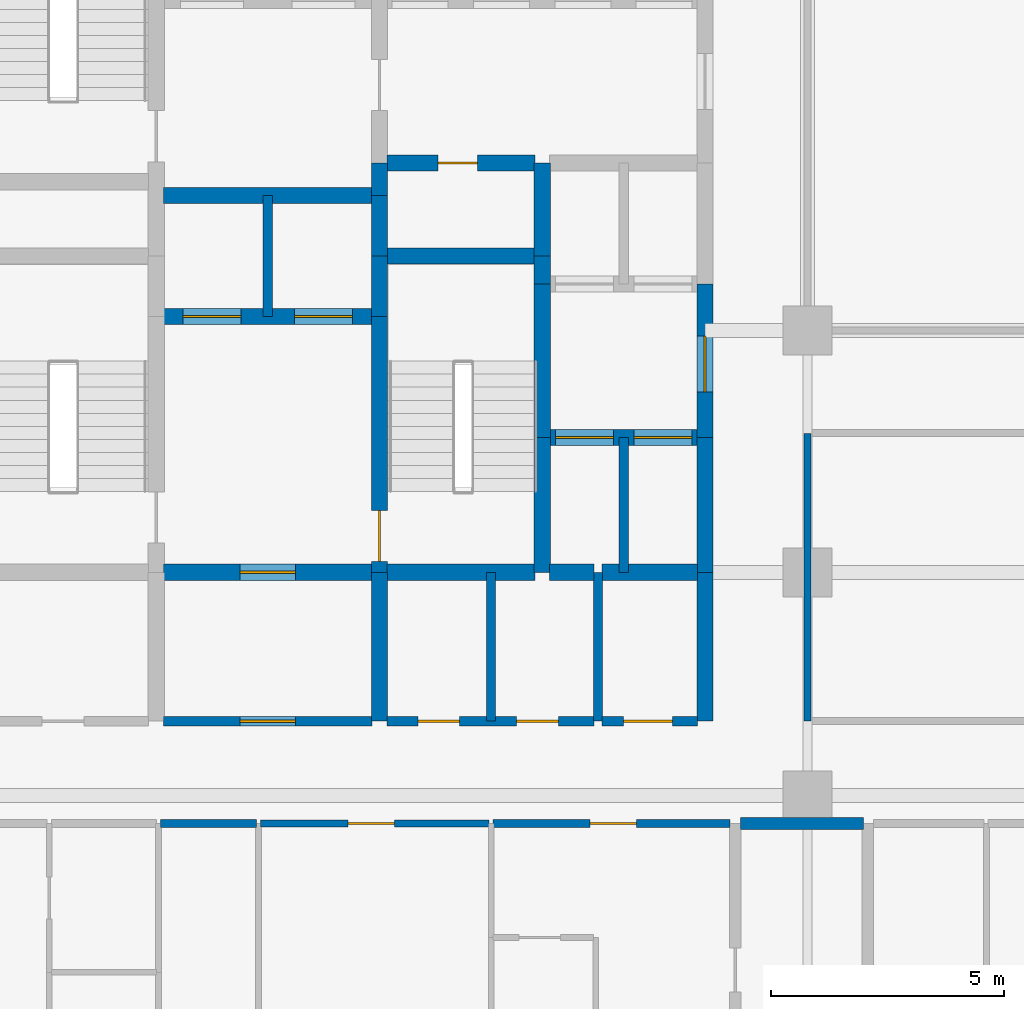
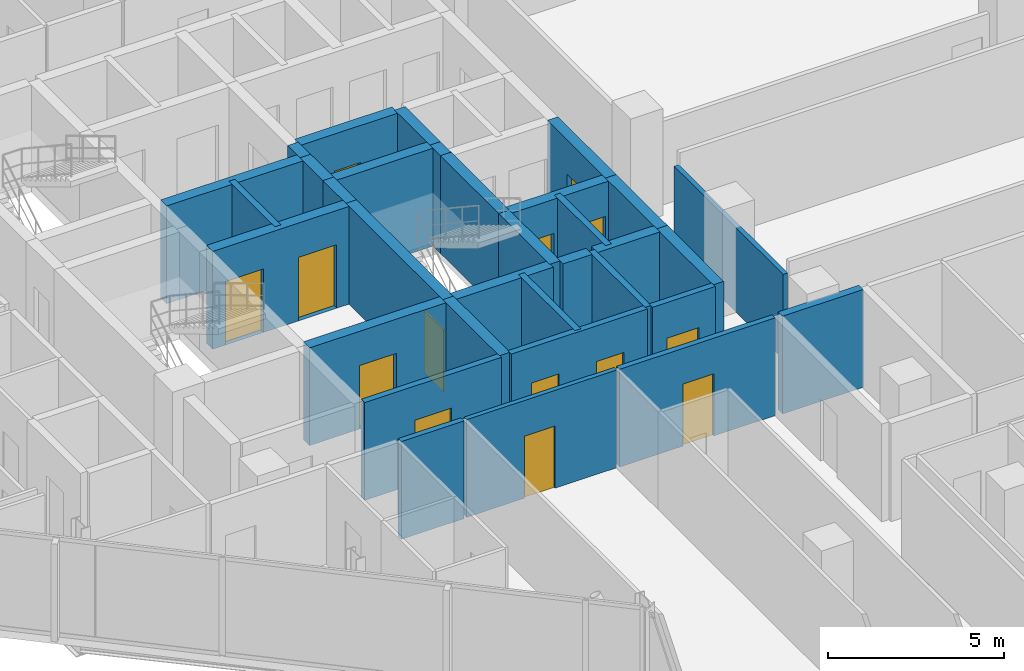
# One storey, part 25 of 30: 33 walls, 14 doors, 14 openings.
"""IFC4 building model written with IfcOpenShell, lengths in metres."""

from ifc_helpers import new_model, si_unit, direction, frame, frame_2d, origin, place, context, subcontext, project, spatial, rectangle, extrude, material, layer, layer_set, type_object, element, fill, save


model = new_model("IFC4")

# Units and contexts
model_context = context("Model", 3, precision=1e-05, world=origin(), true_north=direction((0.0, 1.0)))
body_context = subcontext(model_context, "Body", "Model", "MODEL_VIEW")
ifc_project = project(units=[si_unit("LENGTHUNIT", "METRE"), si_unit("AREAUNIT", "SQUARE_METRE"), si_unit("VOLUMEUNIT", "CUBIC_METRE"), si_unit("PLANEANGLEUNIT", "RADIAN"), si_unit("MASSUNIT", "GRAM", prefix="KILO")], contexts=[model_context])

# Site, building, storey
site_placement = place(None, origin())
site = spatial("IfcSite", under=ifc_project, at=site_placement, CompositionType="ELEMENT")
building_placement = place(site_placement, origin())
building = spatial("IfcBuilding", under=site, at=building_placement, Name="Keshet Zoharim Tower", CompositionType="ELEMENT")
storey_placement = place(building_placement, frame((0.0, 0.0, 109.39990234375)))
storey = spatial("IfcBuildingStorey", under=building, at=storey_placement, Name="L26", CompositionType="ELEMENT", Elevation=109.39990234375)

# Wall
ifc_material_1 = material(Name="Gypsum Plasterboard", Category="gypsum")
ifc_layer_1 = layer(ifc_material_1, 0.14990234375)
ifc_layer_set_1 = layer_set([ifc_layer_1], Name="Gypsum Plasterboard")
wall_type_1 = type_object("IfcWallType", Name="WL-CLIN-150", PredefinedType="STANDARD", material=ifc_layer_set_1)
wall_1_placement = place(storey_placement, frame((33.0, 19.510009765625, 0.0), z_axis=(0.0, 0.0, 1.0), x_axis=(0.0, 1.0, 0.0)))
element("IfcWall", 1, at=wall_1_placement, inside=storey, type_object=wall_type_1, Name="L26 Interior Wall 071", PredefinedType="STANDARD", context=body_context, shape_type="SweptSolid", body=[
    extrude(rectangle(XDim=6.179931640625, YDim=0.14990234375, at=frame_2d((3.08984375, 0.0))), origin(), (0.0, 0.0, 1.0), 2.93505859375),
])

# Wall, opening, door
wall_2_placement = place(storey_placement, frame((21.2451171875, 17.300048828125, 0.0), z_axis=(0.0, 0.0, 1.0), x_axis=(1.0, 0.0, 0.0)))
wall_2 = element("IfcWall", 2, at=wall_2_placement, inside=storey, type_object=wall_type_1, Name="L26 Interior Wall 131", PredefinedType="STANDARD", context=body_context, shape_type="SweptSolid", body=[
    extrude(rectangle(XDim=4.909912109375, YDim=0.14990234375, at=frame_2d((2.455078125, 0.0))), origin(), (0.0, 0.0, 1.0), 3.385009765625),
])
opening_1_placement = place(wall_2_placement, frame((1.884033203125, 0.0, 0.0)))
opening_1 = element("IfcOpeningElement", 3, at=opening_1_placement, cuts=wall_2, Name="Opening D-F310", PredefinedType="OPENING", context=body_context, shape_type="SweptSolid", body=[
    extrude(rectangle(XDim=1.0, YDim=2.14990234375, at=frame_2d((0.5, 1.074951171875))), frame((0.0, 0.0849609375, 0.0), z_axis=(0.0, -1.0, 0.0), x_axis=(1.0, 0.0, 0.0)), (0.0, 0.0, 1.0), 0.169921875),
])
ifc_material_2 = material(Name="Hardwood Timber", Category="wood")
door_type_1 = type_object("IfcDoorType", Name="DR-FD30-100", OperationType="NOTDEFINED", PredefinedType="DOOR", material=ifc_material_2)
door_1_placement = place(opening_1_placement, origin())
door_1 = element("IfcDoor", 4, at=door_1_placement, inside=storey, type_object=door_type_1, Name="L26 Residents Co-Working Office Door", OperationType="SINGLE_SWING_LEFT", OverallHeight=2.14990234375, OverallWidth=1.0, PredefinedType="DOOR", context=body_context, shape_type="SweptSolid", body=[
    extrude(rectangle(XDim=1.0, YDim=2.14990234375, at=frame_2d((0.5, 1.074951171875))), frame((0.0, 0.02490234375, 0.0), z_axis=(0.0, -1.0, 0.0), x_axis=(1.0, 0.0, 0.0)), (0.0, 0.0, 1.0), 0.050048828125),
])
fill(opening_1, door_1)

# Wall
ifc_material_3 = material(Name="Concrete C60/75", Category="concrete")
ifc_layer_2 = layer(ifc_material_3, 0.35009765625)
ifc_layer_set_2 = layer_set([ifc_layer_2], Name="Concrete C60/75")
wall_type_2 = type_object("IfcWallType", Name="WL-CORE-350", PredefinedType="SHEAR", material=ifc_layer_set_2)
wall_3_placement = place(storey_placement, frame((23.800048828125, 19.5, 0.0), z_axis=(0.0, 0.0, 1.0), x_axis=(0.0, 1.0, 0.0)))
element("IfcWall", 5, at=wall_3_placement, inside=storey, type_object=wall_type_2, Name="L26 Core Shear Wall 035", PredefinedType="SHEAR", context=body_context, shape_type="SweptSolid", body=[
    extrude(rectangle(XDim=3.199951171875, YDim=0.35009765625, at=frame_2d((1.60009765625, 0.0))), origin(), (0.0, 0.0, 1.0), 3.385009765625),
])

# Wall, opening, door
wall_4_placement = place(storey_placement, frame((23.800048828125, 22.699951171875, 0.0), z_axis=(0.0, 0.0, 1.0), x_axis=(0.0, 1.0, 0.0)))
wall_4 = element("IfcWall", 6, at=wall_4_placement, inside=storey, type_object=wall_type_2, Name="L26 Core Shear Wall 036", PredefinedType="SHEAR", context=body_context, shape_type="SweptSolid", body=[
    extrude(rectangle(XDim=5.5, YDim=0.35009765625, at=frame_2d((2.75, 0.0))), origin(), (0.0, 0.0, 1.0), 3.385009765625),
])
opening_2_placement = place(wall_4_placement, frame((0.235107421875, 0.0, 0.0)))
opening_2 = element("IfcOpeningElement", 7, at=opening_2_placement, cuts=wall_4, Name="Opening D-F611", PredefinedType="OPENING", context=body_context, shape_type="SweptSolid", body=[
    extrude(rectangle(XDim=1.10009765625, YDim=2.14990234375, at=frame_2d((0.550048828125, 1.074951171875))), frame((0.0, 0.18505859375, 0.0), z_axis=(0.0, -1.0, 0.0), x_axis=(1.0, 0.0, 0.0)), (0.0, 0.0, 1.0), 0.3701171875),
])
door_type_2 = type_object("IfcDoorType", Name="DR-FD60-110", OperationType="NOTDEFINED", PredefinedType="DOOR", material=ifc_material_2)
door_2_placement = place(opening_2_placement, frame((1.10009765625, 0.0, 0.0), z_axis=(0.0, 0.0, 1.0), x_axis=(-1.0, 0.0, 0.0)))
door_2 = element("IfcDoor", 8, at=door_2_placement, inside=storey, type_object=door_type_2, Name="L26 Exit Stair ST-03 Fire Door", OperationType="SINGLE_SWING_LEFT", OverallHeight=2.14990234375, OverallWidth=1.10009765625, PredefinedType="DOOR", context=body_context, shape_type="SweptSolid", body=[
    extrude(rectangle(XDim=1.10009765625, YDim=2.14990234375, at=frame_2d((0.550048828125, 1.074951171875))), frame((0.0, 0.02490234375, 0.0), z_axis=(0.0, -1.0, 0.0), x_axis=(1.0, 0.0, 0.0)), (0.0, 0.0, 1.0), 0.050048828125),
])
fill(opening_2, door_2)

# Walls
for number, where, z_axis, x_axis, name in (
    (9, (23.800048828125, 28.199951171875, 0.0), (0.0, 0.0, 1.0), (0.0, 1.0, 0.0), "L26 Core Shear Wall 037"),
    (10, (23.800048828125, 29.5, 0.0), (0.0, 0.0, 1.0), (0.0, 1.0, 0.0), "L26 Core Shear Wall 038"),
):
    element("IfcWall", number, at=place(storey_placement, frame(where, z_axis=z_axis, x_axis=x_axis)), inside=storey, type_object=wall_type_2, Name=name, PredefinedType="SHEAR", context=body_context, shape_type="SweptSolid", body=[
        extrude(rectangle(XDim=1.300048828125, YDim=0.35009765625, at=frame_2d((0.64990234375, 0.0))), origin(), (0.0, 0.0, 1.0), 3.385009765625),
    ])
wall_5_placement = place(storey_placement, frame((23.800048828125, 30.800048828125, 0.0), z_axis=(0.0, 0.0, 1.0), x_axis=(0.0, 1.0, 0.0)))
element("IfcWall", 11, at=wall_5_placement, inside=storey, type_object=wall_type_2, Name="L26 Core Shear Wall 039", PredefinedType="SHEAR", context=body_context, shape_type="SweptSolid", body=[
    extrude(rectangle(XDim=0.699951171875, YDim=0.35009765625, at=frame_2d((0.35009765625, 0.0))), origin(), (0.0, 0.0, 1.0), 3.385009765625),
])
wall_6_placement = place(storey_placement, frame((27.300048828125, 22.699951171875, 0.0), z_axis=(0.0, 0.0, 1.0), x_axis=(0.0, 1.0, 0.0)))
element("IfcWall", 12, at=wall_6_placement, inside=storey, type_object=wall_type_2, Name="L26 Core Shear Wall 047", PredefinedType="SHEAR", context=body_context, shape_type="SweptSolid", body=[
    extrude(rectangle(XDim=2.900146484375, YDim=0.35009765625, at=frame_2d((1.4501953125, 0.0))), origin(), (0.0, 0.0, 1.0), 3.385009765625),
])
wall_7_placement = place(storey_placement, frame((27.300048828125, 25.60009765625, 0.0), z_axis=(0.0, 0.0, 1.0), x_axis=(0.0, 1.0, 0.0)))
element("IfcWall", 13, at=wall_7_placement, inside=storey, type_object=wall_type_2, Name="L26 Core Shear Wall 048", PredefinedType="SHEAR", context=body_context, shape_type="SweptSolid", body=[
    extrude(rectangle(XDim=3.2998046875, YDim=0.35009765625, at=frame_2d((1.64990234375, 0.0))), origin(), (0.0, 0.0, 1.0), 3.385009765625),
])
wall_8_placement = place(storey_placement, frame((27.300048828125, 28.89990234375, 0.0), z_axis=(0.0, 0.0, 1.0), x_axis=(0.0, 1.0, 0.0)))
element("IfcWall", 14, at=wall_8_placement, inside=storey, type_object=wall_type_2, Name="L26 Core Shear Wall 049", PredefinedType="SHEAR", context=body_context, shape_type="SweptSolid", body=[
    extrude(rectangle(XDim=0.60009765625, YDim=0.35009765625, at=frame_2d((0.300048828125, 0.0))), origin(), (0.0, 0.0, 1.0), 3.385009765625),
])
wall_9_placement = place(storey_placement, frame((27.300048828125, 29.5, 0.0), z_axis=(0.0, 0.0, 1.0), x_axis=(0.0, 1.0, 0.0)))
element("IfcWall", 15, at=wall_9_placement, inside=storey, type_object=wall_type_2, Name="L26 Core Shear Wall 050", PredefinedType="SHEAR", context=body_context, shape_type="SweptSolid", body=[
    extrude(rectangle(XDim=2.0, YDim=0.35009765625, at=frame_2d((1.0, 0.0))), origin(), (0.0, 0.0, 1.0), 3.385009765625),
])
wall_10_placement = place(storey_placement, frame((30.800048828125, 19.5, 0.0), z_axis=(0.0, 0.0, 1.0), x_axis=(0.0, 1.0, 0.0)))
element("IfcWall", 16, at=wall_10_placement, inside=storey, type_object=wall_type_2, Name="L26 Core Shear Wall 060", PredefinedType="SHEAR", context=body_context, shape_type="SweptSolid", body=[
    extrude(rectangle(XDim=3.199951171875, YDim=0.35009765625, at=frame_2d((1.60009765625, 0.0))), origin(), (0.0, 0.0, 1.0), 3.385009765625),
])
wall_11_placement = place(storey_placement, frame((30.800048828125, 22.699951171875, 0.0), z_axis=(0.0, 0.0, 1.0), x_axis=(0.0, 1.0, 0.0)))
element("IfcWall", 17, at=wall_11_placement, inside=storey, type_object=wall_type_2, Name="L26 Core Shear Wall 061", PredefinedType="SHEAR", context=body_context, shape_type="SweptSolid", body=[
    extrude(rectangle(XDim=2.900146484375, YDim=0.35009765625, at=frame_2d((1.4501953125, 0.0))), origin(), (0.0, 0.0, 1.0), 3.385009765625),
])

# Wall, opening, door
wall_12_placement = place(storey_placement, frame((30.800048828125, 25.60009765625, 0.0), z_axis=(0.0, 0.0, 1.0), x_axis=(0.0, 1.0, 0.0)))
wall_12 = element("IfcWall", 18, at=wall_12_placement, inside=storey, type_object=wall_type_2, Name="L26 Core Shear Wall 062", PredefinedType="SHEAR", context=body_context, shape_type="SweptSolid", body=[
    extrude(rectangle(XDim=3.2998046875, YDim=0.35009765625, at=frame_2d((1.64990234375, 0.0))), origin(), (0.0, 0.0, 1.0), 3.385009765625),
])
opening_3_placement = place(wall_12_placement, frame((0.97802734375, 0.0, 0.0)))
opening_3 = element("IfcOpeningElement", 19, at=opening_3_placement, cuts=wall_12, Name="Opening D-F612", PredefinedType="OPENING", context=body_context, shape_type="SweptSolid", body=[
    extrude(rectangle(XDim=1.199951171875, YDim=2.199951171875, at=frame_2d((0.60009765625, 1.10009765625))), frame((0.0, 0.18505859375, 0.0), z_axis=(0.0, -1.0, 0.0), x_axis=(1.0, 0.0, 0.0)), (0.0, 0.0, 1.0), 0.3701171875),
])
door_type_3 = type_object("IfcDoorType", Name="DR-FD60-120", OperationType="NOTDEFINED", PredefinedType="DOOR", material=ifc_material_2)
door_3_placement = place(opening_3_placement, origin())
door_3 = element("IfcDoor", 20, at=door_3_placement, inside=storey, type_object=door_type_3, Name="L26 East Lift Lobby Fire Door", OperationType="SINGLE_SWING_LEFT", OverallHeight=2.199951171875, OverallWidth=1.199951171875, PredefinedType="DOOR", context=body_context, shape_type="SweptSolid", body=[
    extrude(rectangle(XDim=1.199951171875, YDim=2.199951171875, at=frame_2d((0.60009765625, 1.10009765625))), frame((0.0, 0.02490234375, 0.0), z_axis=(0.0, -1.0, 0.0), x_axis=(1.0, 0.0, 0.0)), (0.0, 0.0, 1.0), 0.050048828125),
])
fill(opening_3, door_3)

wall_13_placement = place(storey_placement, frame((19.159912109375, 22.699951171875, 0.0), z_axis=(0.0, 0.0, 1.0), x_axis=(1.0, 0.0, 0.0)))
wall_13 = element("IfcWall", 21, at=wall_13_placement, inside=storey, type_object=wall_type_2, Name="L26 Core Shear Wall 151", PredefinedType="SHEAR", context=body_context, shape_type="SweptSolid", body=[
    extrude(rectangle(XDim=4.47998046875, YDim=0.35009765625, at=frame_2d((2.239990234375, 0.0))), origin(), (0.0, 0.0, 1.0), 3.385009765625),
])
opening_4_placement = place(wall_13_placement, frame((1.639892578125, 0.0, 0.0)))
opening_4 = element("IfcOpeningElement", 22, at=opening_4_placement, cuts=wall_13, Name="Opening D-F612", PredefinedType="OPENING", context=body_context, shape_type="SweptSolid", body=[
    extrude(rectangle(XDim=1.199951171875, YDim=2.199951171875, at=frame_2d((0.60009765625, 1.10009765625))), frame((0.0, 0.18505859375, 0.0), z_axis=(0.0, -1.0, 0.0), x_axis=(1.0, 0.0, 0.0)), (0.0, 0.0, 1.0), 0.3701171875),
])
door_4_placement = place(opening_4_placement, origin())
door_4 = element("IfcDoor", 23, at=door_4_placement, inside=storey, type_object=door_type_3, Name="L26 South Core Lobby Fire Door", OperationType="SINGLE_SWING_LEFT", OverallHeight=2.199951171875, OverallWidth=1.199951171875, PredefinedType="DOOR", context=body_context, shape_type="SweptSolid", body=[
    extrude(rectangle(XDim=1.199951171875, YDim=2.199951171875, at=frame_2d((0.60009765625, 1.10009765625))), frame((0.0, 0.02490234375, 0.0), z_axis=(0.0, -1.0, 0.0), x_axis=(1.0, 0.0, 0.0)), (0.0, 0.0, 1.0), 0.050048828125),
])
fill(opening_4, door_4)

# Walls
wall_14_placement = place(storey_placement, frame((23.9599609375, 22.699951171875, 0.0), z_axis=(0.0, 0.0, 1.0), x_axis=(1.0, 0.0, 0.0)))
element("IfcWall", 24, at=wall_14_placement, inside=storey, type_object=wall_type_2, Name="L26 Core Shear Wall 152", PredefinedType="SHEAR", context=body_context, shape_type="SweptSolid", body=[
    extrude(rectangle(XDim=3.179931640625, YDim=0.35009765625, at=frame_2d((1.58984375, 0.0))), origin(), (0.0, 0.0, 1.0), 3.385009765625),
])
wall_15_placement = place(storey_placement, frame((27.4599609375, 22.699951171875, 0.0), z_axis=(0.0, 0.0, 1.0), x_axis=(1.0, 0.0, 0.0)))
element("IfcWall", 25, at=wall_15_placement, inside=storey, type_object=wall_type_2, Name="L26 Core Shear Wall 153", PredefinedType="SHEAR", context=body_context, shape_type="SweptSolid", body=[
    extrude(rectangle(XDim=0.955078125, YDim=0.35009765625, at=frame_2d((0.4775390625, 0.0))), origin(), (0.0, 0.0, 1.0), 3.385009765625),
])
wall_16_placement = place(storey_placement, frame((28.5849609375, 22.699951171875, 0.0), z_axis=(0.0, 0.0, 1.0), x_axis=(1.0, 0.0, 0.0)))
element("IfcWall", 26, at=wall_16_placement, inside=storey, type_object=wall_type_2, Name="L26 Core Shear Wall 154", PredefinedType="SHEAR", context=body_context, shape_type="SweptSolid", body=[
    extrude(rectangle(XDim=2.054931640625, YDim=0.35009765625, at=frame_2d((1.02734375, 0.0))), origin(), (0.0, 0.0, 1.0), 3.385009765625),
])

# Wall, openings, doors
wall_17_placement = place(storey_placement, frame((27.4599609375, 25.60009765625, 0.0), z_axis=(0.0, 0.0, 1.0), x_axis=(1.0, 0.0, 0.0)))
wall_17 = element("IfcWall", 27, at=wall_17_placement, inside=storey, type_object=wall_type_2, Name="L26 Core Shear Wall 157", PredefinedType="SHEAR", context=body_context, shape_type="SweptSolid", body=[
    extrude(rectangle(XDim=3.179931640625, YDim=0.35009765625, at=frame_2d((1.58984375, 0.0))), origin(), (0.0, 0.0, 1.0), 3.385009765625),
])
opening_5_placement = place(wall_17_placement, frame((0.1201171875, 0.0, 0.0)))
opening_5 = element("IfcOpeningElement", 28, at=opening_5_placement, cuts=wall_17, Name="Opening LD-01", PredefinedType="OPENING", context=body_context, shape_type="SweptSolid", body=[
    extrude(rectangle(XDim=1.25, YDim=2.199951171875, at=frame_2d((0.625, 1.10009765625))), frame((0.0, 0.18505859375, 0.0), z_axis=(0.0, -1.0, 0.0), x_axis=(1.0, 0.0, 0.0)), (0.0, 0.0, 1.0), 0.3701171875),
])
opening_6_placement = place(wall_17_placement, frame((1.81005859375, 0.0, 0.0)))
opening_6 = element("IfcOpeningElement", 29, at=opening_6_placement, cuts=wall_17, Name="Opening LD-01", PredefinedType="OPENING", context=body_context, shape_type="SweptSolid", body=[
    extrude(rectangle(XDim=1.25, YDim=2.199951171875, at=frame_2d((0.625, 1.10009765625))), frame((0.0, 0.18505859375, 0.0), z_axis=(0.0, -1.0, 0.0), x_axis=(1.0, 0.0, 0.0)), (0.0, 0.0, 1.0), 0.3701171875),
])
ifc_material_4 = material(Name="Steel S355", Category="steel")
door_type_4 = type_object("IfcDoorType", Name="DR-LD01-125", OperationType="DOUBLE_DOOR_SLIDING", PredefinedType="DOOR", material=ifc_material_4)
door_5_placement = place(opening_5_placement, origin())
door_5 = element("IfcDoor", 30, at=door_5_placement, inside=storey, type_object=door_type_4, Name="L26 Passenger Lift Landing Door LF-07", OperationType="DOUBLE_DOOR_SLIDING", OverallHeight=2.199951171875, OverallWidth=1.25, PredefinedType="DOOR", context=body_context, shape_type="SweptSolid", body=[
    extrude(rectangle(XDim=1.25, YDim=2.199951171875, at=frame_2d((0.625, 1.10009765625))), frame((0.0, 0.02490234375, 0.0), z_axis=(0.0, -1.0, 0.0), x_axis=(1.0, 0.0, 0.0)), (0.0, 0.0, 1.0), 0.050048828125),
])
fill(opening_5, door_5)
door_6_placement = place(opening_6_placement, origin())
door_6 = element("IfcDoor", 31, at=door_6_placement, inside=storey, type_object=door_type_4, Name="L26 Passenger Lift Landing Door LF-08", OperationType="DOUBLE_DOOR_SLIDING", OverallHeight=2.199951171875, OverallWidth=1.25, PredefinedType="DOOR", context=body_context, shape_type="SweptSolid", body=[
    extrude(rectangle(XDim=1.25, YDim=2.199951171875, at=frame_2d((0.625, 1.10009765625))), frame((0.0, 0.02490234375, 0.0), z_axis=(0.0, -1.0, 0.0), x_axis=(1.0, 0.0, 0.0)), (0.0, 0.0, 1.0), 0.050048828125),
])
fill(opening_6, door_6)

wall_18_placement = place(storey_placement, frame((19.159912109375, 28.199951171875, 0.0), z_axis=(0.0, 0.0, 1.0), x_axis=(1.0, 0.0, 0.0)))
wall_18 = element("IfcWall", 32, at=wall_18_placement, inside=storey, type_object=wall_type_2, Name="L26 Core Shear Wall 162", PredefinedType="SHEAR", context=body_context, shape_type="SweptSolid", body=[
    extrude(rectangle(XDim=4.47998046875, YDim=0.35009765625, at=frame_2d((2.239990234375, 0.0))), origin(), (0.0, 0.0, 1.0), 3.385009765625),
])
opening_7_placement = place(wall_18_placement, frame((0.4150390625, 0.0, 0.0)))
opening_7 = element("IfcOpeningElement", 33, at=opening_7_placement, cuts=wall_18, Name="Opening LD-01", PredefinedType="OPENING", context=body_context, shape_type="SweptSolid", body=[
    extrude(rectangle(XDim=1.25, YDim=2.199951171875, at=frame_2d((0.625, 1.10009765625))), frame((0.0, 0.18505859375, 0.0), z_axis=(0.0, -1.0, 0.0), x_axis=(1.0, 0.0, 0.0)), (0.0, 0.0, 1.0), 0.3701171875),
])
opening_8_placement = place(wall_18_placement, frame((2.81494140625, 0.0, 0.0)))
opening_8 = element("IfcOpeningElement", 34, at=opening_8_placement, cuts=wall_18, Name="Opening LD-01", PredefinedType="OPENING", context=body_context, shape_type="SweptSolid", body=[
    extrude(rectangle(XDim=1.25, YDim=2.199951171875, at=frame_2d((0.625, 1.10009765625))), frame((0.0, 0.18505859375, 0.0), z_axis=(0.0, -1.0, 0.0), x_axis=(1.0, 0.0, 0.0)), (0.0, 0.0, 1.0), 0.3701171875),
])
door_7_placement = place(opening_7_placement, origin())
door_7 = element("IfcDoor", 35, at=door_7_placement, inside=storey, type_object=door_type_4, Name="L26 Passenger Lift Landing Door LF-09", OperationType="DOUBLE_DOOR_SLIDING", OverallHeight=2.199951171875, OverallWidth=1.25, PredefinedType="DOOR", context=body_context, shape_type="SweptSolid", body=[
    extrude(rectangle(XDim=1.25, YDim=2.199951171875, at=frame_2d((0.625, 1.10009765625))), frame((0.0, 0.02490234375, 0.0), z_axis=(0.0, -1.0, 0.0), x_axis=(1.0, 0.0, 0.0)), (0.0, 0.0, 1.0), 0.050048828125),
])
fill(opening_7, door_7)
door_8_placement = place(opening_8_placement, origin())
door_8 = element("IfcDoor", 36, at=door_8_placement, inside=storey, type_object=door_type_4, Name="L26 Passenger Lift Landing Door LF-10", OperationType="DOUBLE_DOOR_SLIDING", OverallHeight=2.199951171875, OverallWidth=1.25, PredefinedType="DOOR", context=body_context, shape_type="SweptSolid", body=[
    extrude(rectangle(XDim=1.25, YDim=2.199951171875, at=frame_2d((0.625, 1.10009765625))), frame((0.0, 0.02490234375, 0.0), z_axis=(0.0, -1.0, 0.0), x_axis=(1.0, 0.0, 0.0)), (0.0, 0.0, 1.0), 0.050048828125),
])
fill(opening_8, door_8)

# Walls
wall_19_placement = place(storey_placement, frame((23.9599609375, 29.5, 0.0), z_axis=(0.0, 0.0, 1.0), x_axis=(1.0, 0.0, 0.0)))
element("IfcWall", 37, at=wall_19_placement, inside=storey, type_object=wall_type_2, Name="L26 Core Shear Wall 169", PredefinedType="SHEAR", context=body_context, shape_type="SweptSolid", body=[
    extrude(rectangle(XDim=3.179931640625, YDim=0.35009765625, at=frame_2d((1.58984375, 0.0))), origin(), (0.0, 0.0, 1.0), 3.385009765625),
])
wall_20_placement = place(storey_placement, frame((19.159912109375, 30.800048828125, 0.0), z_axis=(0.0, 0.0, 1.0), x_axis=(1.0, 0.0, 0.0)))
element("IfcWall", 38, at=wall_20_placement, inside=storey, type_object=wall_type_2, Name="L26 Core Shear Wall 170", PredefinedType="SHEAR", context=body_context, shape_type="SweptSolid", body=[
    extrude(rectangle(XDim=4.47998046875, YDim=0.35009765625, at=frame_2d((2.239990234375, 0.0))), origin(), (0.0, 0.0, 1.0), 3.385009765625),
])

# Wall, opening, door
wall_21_placement = place(storey_placement, frame((23.9599609375, 31.5, 0.0), z_axis=(0.0, 0.0, 1.0), x_axis=(1.0, 0.0, 0.0)))
wall_21 = element("IfcWall", 39, at=wall_21_placement, inside=storey, type_object=wall_type_2, Name="L26 Core Shear Wall 174", PredefinedType="SHEAR", context=body_context, shape_type="SweptSolid", body=[
    extrude(rectangle(XDim=3.179931640625, YDim=0.35009765625, at=frame_2d((1.58984375, 0.0))), origin(), (0.0, 0.0, 1.0), 3.385009765625),
])
opening_9_placement = place(wall_21_placement, frame((1.093994140625, 0.0, 0.0)))
opening_9 = element("IfcOpeningElement", 40, at=opening_9_placement, cuts=wall_21, Name="Opening D-RS85", PredefinedType="OPENING", context=body_context, shape_type="SweptSolid", body=[
    extrude(rectangle(XDim=0.85009765625, YDim=2.10009765625, at=frame_2d((0.425048828125, 1.050048828125))), frame((0.0, 0.18505859375, 0.0), z_axis=(0.0, -1.0, 0.0), x_axis=(1.0, 0.0, 0.0)), (0.0, 0.0, 1.0), 0.3701171875),
])
door_type_5 = type_object("IfcDoorType", Name="DR-RIS-085", OperationType="NOTDEFINED", PredefinedType="DOOR", material=ifc_material_2)
door_9_placement = place(opening_9_placement, origin())
door_9 = element("IfcDoor", 41, at=door_9_placement, inside=storey, type_object=door_type_5, Name="L26 Telecom Riser Access Cupboard Door", OperationType="SINGLE_SWING_LEFT", OverallHeight=2.10009765625, OverallWidth=0.85009765625, PredefinedType="DOOR", context=body_context, shape_type="SweptSolid", body=[
    extrude(rectangle(XDim=0.85009765625, YDim=2.10009765625, at=frame_2d((0.425048828125, 1.050048828125))), frame((0.0, 0.02490234375, 0.0), z_axis=(0.0, -1.0, 0.0), x_axis=(1.0, 0.0, 0.0)), (0.0, 0.0, 1.0), 0.050048828125),
])
fill(opening_9, door_9)

# Wall
ifc_layer_3 = layer(ifc_material_1, 0.179931640625)
ifc_layer_set_3 = layer_set([ifc_layer_3], Name="Gypsum Plasterboard")
wall_type_3 = type_object("IfcWallType", Name="WL-CORR-180", PredefinedType="STANDARD", material=ifc_layer_set_3)
wall_22_placement = place(storey_placement, frame((19.094970703125, 17.300048828125, 0.0), z_axis=(0.0, 0.0, 1.0), x_axis=(1.0, 0.0, 0.0)))
element("IfcWall", 42, at=wall_22_placement, inside=storey, type_object=wall_type_3, Name="L26 Interior Wall 130", PredefinedType="STANDARD", context=body_context, shape_type="SweptSolid", body=[
    extrude(rectangle(XDim=2.06005859375, YDim=0.179931640625, at=frame_2d((1.030029296875, 0.0))), origin(), (0.0, 0.0, 1.0), 3.385009765625),
])

# Wall, opening, door
wall_23_placement = place(storey_placement, frame((26.2451171875, 17.300048828125, 0.0), z_axis=(0.0, 0.0, 1.0), x_axis=(1.0, 0.0, 0.0)))
wall_23 = element("IfcWall", 43, at=wall_23_placement, inside=storey, type_object=wall_type_3, Name="L26 Interior Wall 132", PredefinedType="STANDARD", context=body_context, shape_type="SweptSolid", body=[
    extrude(rectangle(XDim=5.094970703125, YDim=0.179931640625, at=frame_2d((2.54736328125, 0.0))), origin(), (0.0, 0.0, 1.0), 3.385009765625),
])
opening_10_placement = place(wall_23_placement, frame((2.080078125, 0.0, 0.0)))
opening_10 = element("IfcOpeningElement", 44, at=opening_10_placement, cuts=wall_23, Name="Opening D-F310", PredefinedType="OPENING", context=body_context, shape_type="SweptSolid", body=[
    extrude(rectangle(XDim=1.0, YDim=2.14990234375, at=frame_2d((0.5, 1.074951171875))), frame((0.0, 0.10009765625, 0.0), z_axis=(0.0, -1.0, 0.0), x_axis=(1.0, 0.0, 0.0)), (0.0, 0.0, 1.0), 0.199951171875),
])
door_10_placement = place(opening_10_placement, origin())
door_10 = element("IfcDoor", 45, at=door_10_placement, inside=storey, type_object=door_type_1, Name="Apartment 2602 Entrance Door", OperationType="SINGLE_SWING_RIGHT", OverallHeight=2.14990234375, OverallWidth=1.0, PredefinedType="DOOR", context=body_context, shape_type="SweptSolid", body=[
    extrude(rectangle(XDim=1.0, YDim=2.14990234375, at=frame_2d((0.5, 1.074951171875))), frame((0.0, 0.02490234375, 0.0), z_axis=(0.0, -1.0, 0.0), x_axis=(1.0, 0.0, 0.0)), (0.0, 0.0, 1.0), 0.050048828125),
])
fill(opening_10, door_10)

# Walls
ifc_material_5 = material(Name="Concrete C50/60", Category="concrete")
ifc_layer_4 = layer(ifc_material_5, 0.199951171875)
ifc_layer_set_4 = layer_set([ifc_layer_4], Name="Concrete C50/60")
wall_type_4 = type_object("IfcWallType", Name="WL-FIRE-200", PredefinedType="STANDARD", material=ifc_layer_set_4)
wall_24_placement = place(storey_placement, frame((21.39990234375, 28.199951171875, 0.0), z_axis=(0.0, 0.0, 1.0), x_axis=(0.0, 1.0, 0.0)))
element("IfcWall", 46, at=wall_24_placement, inside=storey, type_object=wall_type_4, Name="L26 Interior Wall 031", PredefinedType="STANDARD", context=body_context, shape_type="SweptSolid", body=[
    extrude(rectangle(XDim=2.60009765625, YDim=0.199951171875, at=frame_2d((1.300048828125, 0.0))), origin(), (0.0, 0.0, 1.0), 3.385009765625),
])
for number, where, z_axis, x_axis, name in (
    (47, (26.199951171875, 19.5, 0.0), (0.0, 0.0, 1.0), (0.0, 1.0, 0.0), "L26 Interior Wall 046"),
    (48, (28.5, 19.5, 0.0), (0.0, 0.0, 1.0), (0.0, 1.0, 0.0), "L26 Interior Wall 056"),
):
    element("IfcWall", number, at=place(storey_placement, frame(where, z_axis=z_axis, x_axis=x_axis)), inside=storey, type_object=wall_type_4, Name=name, PredefinedType="STANDARD", context=body_context, shape_type="SweptSolid", body=[
        extrude(rectangle(XDim=3.199951171875, YDim=0.199951171875, at=frame_2d((1.60009765625, 0.0))), origin(), (0.0, 0.0, 1.0), 3.385009765625),
    ])
wall_25_placement = place(storey_placement, frame((29.050048828125, 22.699951171875, 0.0), z_axis=(0.0, 0.0, 1.0), x_axis=(0.0, 1.0, 0.0)))
element("IfcWall", 49, at=wall_25_placement, inside=storey, type_object=wall_type_4, Name="L26 Interior Wall 057", PredefinedType="STANDARD", context=body_context, shape_type="SweptSolid", body=[
    extrude(rectangle(XDim=2.900146484375, YDim=0.199951171875, at=frame_2d((1.4501953125, 0.0))), origin(), (0.0, 0.0, 1.0), 3.385009765625),
])

# Wall, opening, door
wall_26_placement = place(storey_placement, frame((19.159912109375, 19.5, 0.0), z_axis=(0.0, 0.0, 1.0), x_axis=(1.0, 0.0, 0.0)))
wall_26 = element("IfcWall", 50, at=wall_26_placement, inside=storey, type_object=wall_type_4, Name="L26 Interior Wall 143", PredefinedType="STANDARD", context=body_context, shape_type="SweptSolid", body=[
    extrude(rectangle(XDim=4.47998046875, YDim=0.199951171875, at=frame_2d((2.239990234375, 0.0))), origin(), (0.0, 0.0, 1.0), 3.385009765625),
])
opening_11_placement = place(wall_26_placement, frame((1.639892578125, 0.0, 0.0)))
opening_11 = element("IfcOpeningElement", 51, at=opening_11_placement, cuts=wall_26, Name="Opening D-F612", PredefinedType="OPENING", context=body_context, shape_type="SweptSolid", body=[
    extrude(rectangle(XDim=1.199951171875, YDim=2.199951171875, at=frame_2d((0.60009765625, 1.10009765625))), frame((0.0, 0.10986328125, 0.0), z_axis=(0.0, -1.0, 0.0), x_axis=(1.0, 0.0, 0.0)), (0.0, 0.0, 1.0), 0.219970703125),
])
door_11_placement = place(opening_11_placement, origin())
door_11 = element("IfcDoor", 52, at=door_11_placement, inside=storey, type_object=door_type_3, Name="L26 South Vestibule Corridor Door", OperationType="SINGLE_SWING_LEFT", OverallHeight=2.199951171875, OverallWidth=1.199951171875, PredefinedType="DOOR", context=body_context, shape_type="SweptSolid", body=[
    extrude(rectangle(XDim=1.199951171875, YDim=2.199951171875, at=frame_2d((0.60009765625, 1.10009765625))), frame((0.0, 0.02490234375, 0.0), z_axis=(0.0, -1.0, 0.0), x_axis=(1.0, 0.0, 0.0)), (0.0, 0.0, 1.0), 0.050048828125),
])
fill(opening_11, door_11)

# Wall, openings, doors
wall_27_placement = place(storey_placement, frame((23.9599609375, 19.5, 0.0), z_axis=(0.0, 0.0, 1.0), x_axis=(1.0, 0.0, 0.0)))
wall_27 = element("IfcWall", 53, at=wall_27_placement, inside=storey, type_object=wall_type_4, Name="L26 Interior Wall 144", PredefinedType="STANDARD", context=body_context, shape_type="SweptSolid", body=[
    extrude(rectangle(XDim=4.455078125, YDim=0.199951171875, at=frame_2d((2.2275390625, 0.0))), origin(), (0.0, 0.0, 1.0), 3.385009765625),
])
opening_12_placement = place(wall_27_placement, frame((0.6650390625, 0.0, 0.0)))
opening_12 = element("IfcOpeningElement", 54, at=opening_12_placement, cuts=wall_27, Name="Opening D-F690", PredefinedType="OPENING", context=body_context, shape_type="SweptSolid", body=[
    extrude(rectangle(XDim=0.89990234375, YDim=2.14990234375, at=frame_2d((0.449951171875, 1.074951171875))), frame((0.0, 0.10986328125, 0.0), z_axis=(0.0, -1.0, 0.0), x_axis=(1.0, 0.0, 0.0)), (0.0, 0.0, 1.0), 0.219970703125),
])
opening_13_placement = place(wall_27_placement, frame((2.791015625, 0.0, 0.0)))
opening_13 = element("IfcOpeningElement", 55, at=opening_13_placement, cuts=wall_27, Name="Opening D-F690", PredefinedType="OPENING", context=body_context, shape_type="SweptSolid", body=[
    extrude(rectangle(XDim=0.89990234375, YDim=2.14990234375, at=frame_2d((0.449951171875, 1.074951171875))), frame((0.0, 0.10986328125, 0.0), z_axis=(0.0, -1.0, 0.0), x_axis=(1.0, 0.0, 0.0)), (0.0, 0.0, 1.0), 0.219970703125),
])
door_type_6 = type_object("IfcDoorType", Name="DR-FD60-090", OperationType="NOTDEFINED", PredefinedType="DOOR", material=ifc_material_2)
door_12_placement = place(opening_12_placement, origin())
door_12 = element("IfcDoor", 56, at=door_12_placement, inside=storey, type_object=door_type_6, Name="L26 Switchgear Room Door", OperationType="SINGLE_SWING_RIGHT", OverallHeight=2.14990234375, OverallWidth=0.89990234375, PredefinedType="DOOR", context=body_context, shape_type="SweptSolid", body=[
    extrude(rectangle(XDim=0.89990234375, YDim=2.14990234375, at=frame_2d((0.449951171875, 1.074951171875))), frame((0.0, 0.02490234375, 0.0), z_axis=(0.0, -1.0, 0.0), x_axis=(1.0, 0.0, 0.0)), (0.0, 0.0, 1.0), 0.050048828125),
])
fill(opening_12, door_12)
door_13_placement = place(opening_13_placement, origin())
door_13 = element("IfcDoor", 57, at=door_13_placement, inside=storey, type_object=door_type_6, Name="L26 Telecom Room Door", OperationType="SINGLE_SWING_LEFT", OverallHeight=2.14990234375, OverallWidth=0.89990234375, PredefinedType="DOOR", context=body_context, shape_type="SweptSolid", body=[
    extrude(rectangle(XDim=0.89990234375, YDim=2.14990234375, at=frame_2d((0.449951171875, 1.074951171875))), frame((0.0, 0.02490234375, 0.0), z_axis=(0.0, -1.0, 0.0), x_axis=(1.0, 0.0, 0.0)), (0.0, 0.0, 1.0), 0.050048828125),
])
fill(opening_13, door_13)

# Wall, opening, door
wall_28_placement = place(storey_placement, frame((28.5849609375, 19.5, 0.0), z_axis=(0.0, 0.0, 1.0), x_axis=(1.0, 0.0, 0.0)))
wall_28 = element("IfcWall", 58, at=wall_28_placement, inside=storey, type_object=wall_type_4, Name="L26 Interior Wall 145", PredefinedType="STANDARD", context=body_context, shape_type="SweptSolid", body=[
    extrude(rectangle(XDim=2.054931640625, YDim=0.199951171875, at=frame_2d((1.02734375, 0.0))), origin(), (0.0, 0.0, 1.0), 3.385009765625),
])
opening_14_placement = place(wall_28_placement, frame((0.466064453125, 0.0, 0.0)))
opening_14 = element("IfcOpeningElement", 59, at=opening_14_placement, cuts=wall_28, Name="Opening D-AC10", PredefinedType="OPENING", context=body_context, shape_type="SweptSolid", body=[
    extrude(rectangle(XDim=1.050048828125, YDim=2.14990234375, at=frame_2d((0.52490234375, 1.074951171875))), frame((0.0, 0.10986328125, 0.0), z_axis=(0.0, -1.0, 0.0), x_axis=(1.0, 0.0, 0.0)), (0.0, 0.0, 1.0), 0.219970703125),
])
door_type_7 = type_object("IfcDoorType", Name="DR-ACC-105", OperationType="NOTDEFINED", PredefinedType="DOOR", material=ifc_material_2)
door_14_placement = place(opening_14_placement, origin())
door_14 = element("IfcDoor", 60, at=door_14_placement, inside=storey, type_object=door_type_7, Name="L26 Accessible WC Door", OperationType="SINGLE_SWING_RIGHT", OverallHeight=2.14990234375, OverallWidth=1.050048828125, PredefinedType="DOOR", context=body_context, shape_type="SweptSolid", body=[
    extrude(rectangle(XDim=1.050048828125, YDim=2.14990234375, at=frame_2d((0.52490234375, 1.074951171875))), frame((0.0, 0.02490234375, 0.0), z_axis=(0.0, -1.0, 0.0), x_axis=(1.0, 0.0, 0.0)), (0.0, 0.0, 1.0), 0.050048828125),
])
fill(opening_14, door_14)

# Wall
ifc_layer_5 = layer(ifc_material_5, 0.25)
ifc_layer_set_5 = layer_set([ifc_layer_5], Name="Concrete C50/60")
wall_type_5 = type_object("IfcWallType", Name="WL-MAMAD-250", PredefinedType="STANDARD", material=ifc_layer_set_5)
wall_29_placement = place(storey_placement, frame((31.56005859375, 17.300048828125, 0.0), z_axis=(0.0, 0.0, 1.0), x_axis=(1.0, 0.0, 0.0)))
element("IfcWall", 61, at=wall_29_placement, inside=storey, type_object=wall_type_5, Name="L26 Interior Wall 133", PredefinedType="STANDARD", context=body_context, shape_type="SweptSolid", body=[
    extrude(rectangle(XDim=2.64501953125, YDim=0.25, at=frame_2d((1.322509765625, 0.0))), origin(), (0.0, 0.0, 1.0), 3.385009765625),
])

save(model, "model.ifc")
